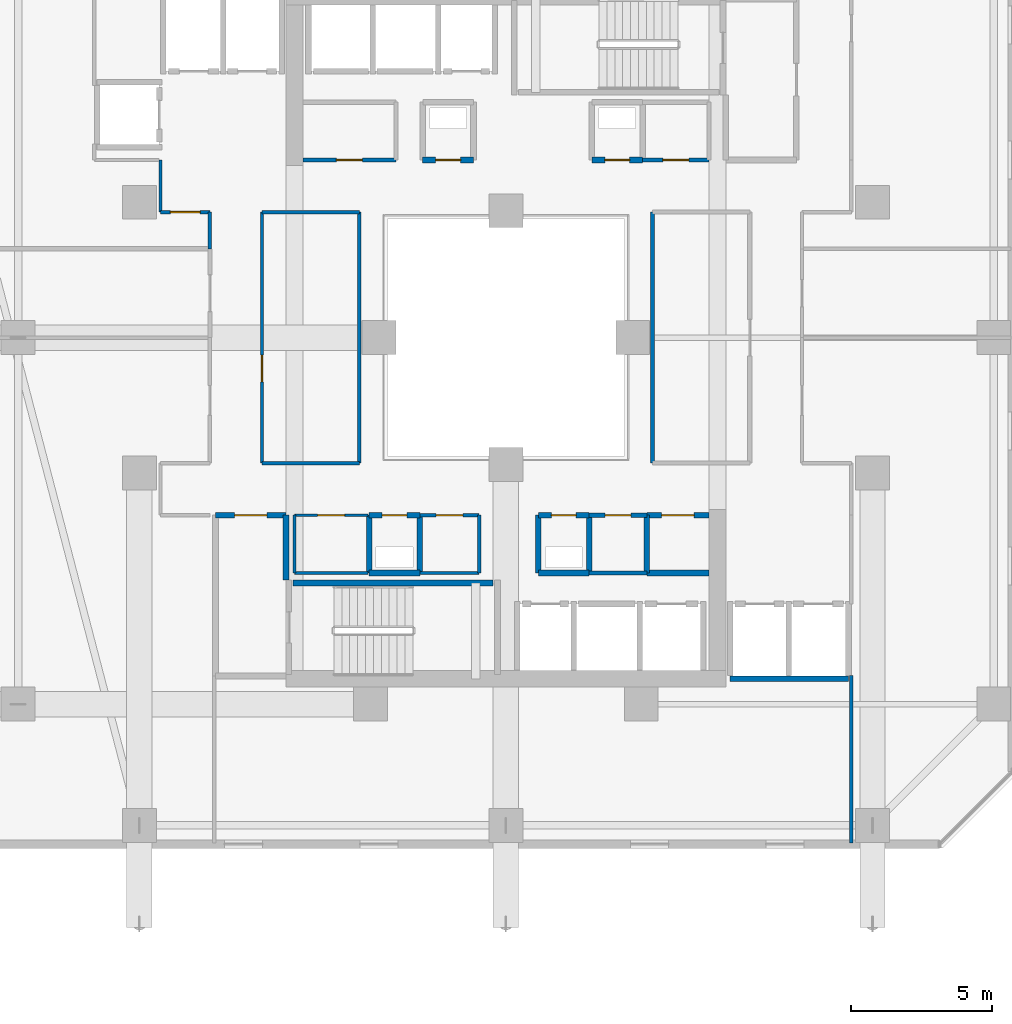
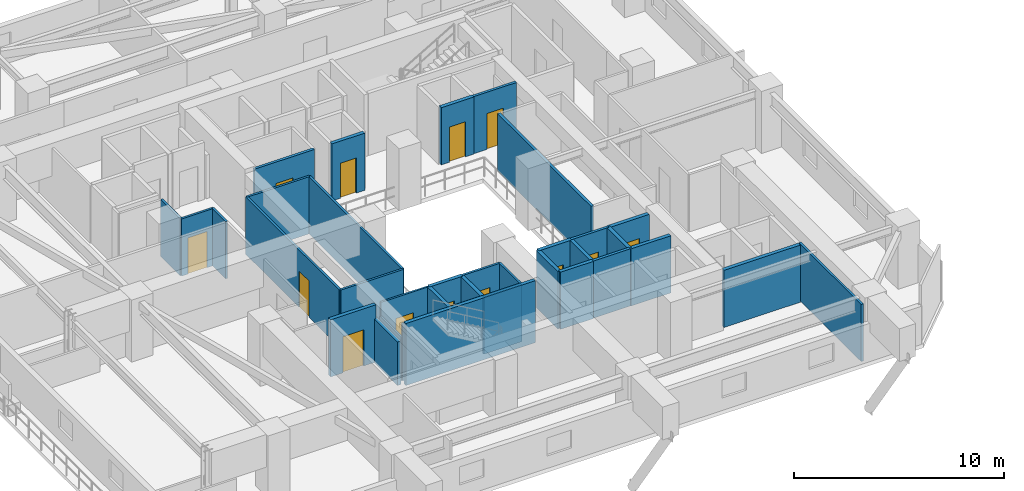
# One storey, part 22 of 36: 36 walls, 13 doors, 13 openings.
"""IFC4 building model written with IfcOpenShell, lengths in metres."""

from ifc_helpers import new_model, si_unit, direction, frame, frame_2d, origin, place, context, subcontext, project, spatial, rectangle, extrude, material, layer, layer_set, type_object, element, fill, save


model = new_model("IFC4")

# Units and contexts
model_context = context("Model", 3, precision=1e-05, world=origin(), true_north=direction((0.0, 1.0)))
body_context = subcontext(model_context, "Body", "Model", "MODEL_VIEW")
ifc_project = project(units=[si_unit("LENGTHUNIT", "METRE"), si_unit("AREAUNIT", "SQUARE_METRE"), si_unit("VOLUMEUNIT", "CUBIC_METRE"), si_unit("PLANEANGLEUNIT", "RADIAN"), si_unit("MASSUNIT", "GRAM", prefix="KILO")], contexts=[model_context])

# Site, building, storey
site_placement = place(None, origin())
site = spatial("IfcSite", under=ifc_project, at=site_placement, CompositionType="ELEMENT")
building_placement = place(site_placement, origin())
building = spatial("IfcBuilding", under=site, at=building_placement, Name="Thornwick Lancets Civic Towers", CompositionType="ELEMENT")
storey_placement = place(building_placement, frame((0.0, 0.0, 116.10009765625)))
storey = spatial("IfcBuildingStorey", under=building, at=storey_placement, Name="L30", CompositionType="ELEMENT", Elevation=116.10009765625)

# Walls
ifc_material_1 = material(Name="Concrete blockwork C40/50", Category="masonry")
ifc_layer_1 = layer(ifc_material_1, 0.199951171875, Name="Concrete blockwork C40/50")
ifc_layer_set_1 = layer_set([ifc_layer_1], Name="Concrete blockwork C40/50")
wall_type_1 = type_object("IfcWallType", Name="WALL_COMP_200", PredefinedType="STANDARD", material=ifc_layer_set_1)
wall_1_placement = place(storey_placement, frame((33.451904296875, 14.89990234375, 0.0), z_axis=(0.0, 0.0, 1.0), x_axis=(1.0, 0.0, 0.0)))
element("IfcWall", 1, at=wall_1_placement, inside=storey, type_object=wall_type_1, Name="L30 Hoistway Shaft Wall PL-AL2 S", PredefinedType="STANDARD", context=body_context, shape_type="SweptSolid", body=[
    extrude(rectangle(XDim=4.196044921875, YDim=0.199951171875, at=frame_2d((2.09814453125, 0.0))), origin(), (0.0, 0.0, 1.0), 3.31982421875),
])
wall_2_placement = place(storey_placement, frame((17.699951171875, 18.39990234375, 0.0), z_axis=(0.0, 0.0, 1.0), x_axis=(0.0, 1.0, 0.0)))
element("IfcWall", 2, at=wall_2_placement, inside=storey, type_object=wall_type_1, Name="L30 Partition L30-A-FFLOB1 E2", PredefinedType="STANDARD", context=body_context, shape_type="SweptSolid", body=[
    extrude(rectangle(XDim=2.300048828125, YDim=0.199951171875, at=frame_2d((1.14990234375, 0.0))), origin(), (0.0, 0.0, 1.0), 2.52490234375),
])

# Wall, opening, door
wall_3_placement = place(storey_placement, frame((17.699951171875, 20.699951171875, 0.0), z_axis=(0.0, 0.0, 1.0), x_axis=(-1.0, 0.0, 0.0)))
wall_3 = element("IfcWall", 3, at=wall_3_placement, inside=storey, type_object=wall_type_1, Name="L30 Partition L30-A-FFLOB1 E3", PredefinedType="STANDARD", context=body_context, shape_type="SweptSolid", body=[
    extrude(rectangle(XDim=2.5, YDim=0.199951171875, at=frame_2d((1.25, 0.0))), origin(), (0.0, 0.0, 1.0), 3.31982421875),
])
opening_1_placement = place(wall_3_placement, frame((0.675048828125, 0.0, 0.0)))
opening_1 = element("IfcOpeningElement", 4, at=opening_1_placement, cuts=wall_3, Name="Opening D-L30-1369", PredefinedType="OPENING", context=body_context, shape_type="SweptSolid", body=[
    extrude(rectangle(XDim=1.14990234375, YDim=2.10009765625, at=frame_2d((0.574951171875, 1.050048828125))), frame((0.0, 0.10986328125, 0.0), z_axis=(0.0, -1.0, 0.0), x_axis=(1.0, 0.0, 0.0)), (0.0, 0.0, 1.0), 0.219970703125),
])
ifc_material_2 = material(Name="Glazed fire-resisting steel", Category="steel")
door_type_1 = type_object("IfcDoorType", Name="DOOR_LOBBY_FD60", OperationType="NOTDEFINED", PredefinedType="DOOR", material=ifc_material_2)
door_1_placement = place(opening_1_placement, origin())
door_1 = element("IfcDoor", 5, at=door_1_placement, inside=storey, type_object=door_type_1, Name="L30 South Firefighting Lobby 1 Door", OperationType="SINGLE_SWING_RIGHT", OverallHeight=2.10009765625, OverallWidth=1.14990234375, PredefinedType="DOOR", context=body_context, shape_type="SweptSolid", body=[
    extrude(rectangle(XDim=1.14990234375, YDim=2.10009765625, at=frame_2d((0.574951171875, 1.050048828125))), frame((0.0, 0.02490234375, 0.0), z_axis=(0.0, -1.0, 0.0), x_axis=(1.0, 0.0, 0.0)), (0.0, 0.0, 1.0), 0.050048828125),
])
fill(opening_1, door_1)

# Walls
wall_4_placement = place(storey_placement, frame((26.64990234375, 18.64990234375, 0.0), z_axis=(0.0, 0.0, 1.0), x_axis=(1.0, 0.0, 0.0)))
element("IfcWall", 6, at=wall_4_placement, inside=storey, type_object=wall_type_1, Name="L30 Partition L30-A-DUCT1 E1", PredefinedType="STANDARD", context=body_context, shape_type="SweptSolid", body=[
    extrude(rectangle(XDim=1.800048828125, YDim=0.199951171875, at=frame_2d((0.89990234375, 0.0))), origin(), (0.0, 0.0, 1.0), 3.31982421875),
])
wall_5_placement = place(storey_placement, frame((28.449951171875, 18.64990234375, 0.0), z_axis=(0.0, 0.0, 1.0), x_axis=(0.0, 1.0, 0.0)))
element("IfcWall", 7, at=wall_5_placement, inside=storey, type_object=wall_type_1, Name="L30 Partition L30-A-DUCT1 E2", PredefinedType="STANDARD", context=body_context, shape_type="SweptSolid", body=[
    extrude(rectangle(XDim=2.050048828125, YDim=0.199951171875, at=frame_2d((1.02490234375, 0.0))), origin(), (0.0, 0.0, 1.0), 3.31982421875),
])

# Wall, opening, door
wall_6_placement = place(storey_placement, frame((28.449951171875, 20.699951171875, 0.0), z_axis=(0.0, 0.0, 1.0), x_axis=(-1.0, 0.0, 0.0)))
wall_6 = element("IfcWall", 8, at=wall_6_placement, inside=storey, type_object=wall_type_1, Name="L30 Partition L30-A-DUCT1 E3", PredefinedType="STANDARD", context=body_context, shape_type="SweptSolid", body=[
    extrude(rectangle(XDim=1.800048828125, YDim=0.199951171875, at=frame_2d((0.89990234375, 0.0))), origin(), (0.0, 0.0, 1.0), 3.31982421875),
])
opening_2_placement = place(wall_6_placement, frame((0.4599609375, 0.0, 0.0)))
opening_2 = element("IfcOpeningElement", 9, at=opening_2_placement, cuts=wall_6, Name="Opening D-L30-1371", PredefinedType="OPENING", context=body_context, shape_type="SweptSolid", body=[
    extrude(rectangle(XDim=0.8798828125, YDim=2.0400390625, at=frame_2d((0.43994140625, 1.02001953125))), frame((0.0, 0.10986328125, 0.0), z_axis=(0.0, -1.0, 0.0), x_axis=(1.0, 0.0, 0.0)), (0.0, 0.0, 1.0), 0.219970703125),
])
ifc_material_3 = material(Name="Steel riser access doorset", Category="steel")
door_type_2 = type_object("IfcDoorType", Name="DOOR_RISER_850", OperationType="NOTDEFINED", PredefinedType="DOOR", material=ifc_material_3)
door_2_placement = place(opening_2_placement, origin())
door_2 = element("IfcDoor", 10, at=door_2_placement, inside=storey, type_object=door_type_2, Name="L30 South Service Duct 1 Door", OperationType="SINGLE_SWING_RIGHT", OverallHeight=2.0400390625, OverallWidth=0.8798828125, PredefinedType="DOOR", context=body_context, shape_type="SweptSolid", body=[
    extrude(rectangle(XDim=0.8798828125, YDim=2.0400390625, at=frame_2d((0.43994140625, 1.02001953125))), frame((0.0, 0.02490234375, 0.0), z_axis=(0.0, -1.0, 0.0), x_axis=(1.0, 0.0, 0.0)), (0.0, 0.0, 1.0), 0.050048828125),
])
fill(opening_2, door_2)

# Walls
wall_7_placement = place(storey_placement, frame((26.64990234375, 20.699951171875, 0.0), z_axis=(0.0, 0.0, 1.0), x_axis=(0.0, -1.0, 0.0)))
element("IfcWall", 11, at=wall_7_placement, inside=storey, type_object=wall_type_1, Name="L30 Partition L30-A-DUCT1 E4", PredefinedType="STANDARD", context=body_context, shape_type="SweptSolid", body=[
    extrude(rectangle(XDim=2.050048828125, YDim=0.199951171875, at=frame_2d((1.02490234375, 0.0))), origin(), (0.0, 0.0, 1.0), 3.31982421875),
])
wall_8_placement = place(storey_placement, frame((20.64990234375, 18.64990234375, 0.0), z_axis=(0.0, 0.0, 1.0), x_axis=(1.0, 0.0, 0.0)))
element("IfcWall", 12, at=wall_8_placement, inside=storey, type_object=wall_type_1, Name="L30 Partition L30-A-RISER1 E1", PredefinedType="STANDARD", context=body_context, shape_type="SweptSolid", body=[
    extrude(rectangle(XDim=1.800048828125, YDim=0.199951171875, at=frame_2d((0.89990234375, 0.0))), origin(), (0.0, 0.0, 1.0), 3.31982421875),
])
wall_9_placement = place(storey_placement, frame((22.449951171875, 18.64990234375, 0.0), z_axis=(0.0, 0.0, 1.0), x_axis=(0.0, 1.0, 0.0)))
element("IfcWall", 13, at=wall_9_placement, inside=storey, type_object=wall_type_1, Name="L30 Partition L30-A-RISER1 E2", PredefinedType="STANDARD", context=body_context, shape_type="SweptSolid", body=[
    extrude(rectangle(XDim=2.050048828125, YDim=0.199951171875, at=frame_2d((1.02490234375, 0.0))), origin(), (0.0, 0.0, 1.0), 3.31982421875),
])

# Wall, opening, door
wall_10_placement = place(storey_placement, frame((22.449951171875, 20.699951171875, 0.0), z_axis=(0.0, 0.0, 1.0), x_axis=(-1.0, 0.0, 0.0)))
wall_10 = element("IfcWall", 14, at=wall_10_placement, inside=storey, type_object=wall_type_1, Name="L30 Partition L30-A-RISER1 E3", PredefinedType="STANDARD", context=body_context, shape_type="SweptSolid", body=[
    extrude(rectangle(XDim=1.800048828125, YDim=0.199951171875, at=frame_2d((0.89990234375, 0.0))), origin(), (0.0, 0.0, 1.0), 3.31982421875),
])
opening_3_placement = place(wall_10_placement, frame((0.4599609375, 0.0, 0.0)))
opening_3 = element("IfcOpeningElement", 15, at=opening_3_placement, cuts=wall_10, Name="Opening D-L30-1372", PredefinedType="OPENING", context=body_context, shape_type="SweptSolid", body=[
    extrude(rectangle(XDim=0.8798828125, YDim=2.0400390625, at=frame_2d((0.43994140625, 1.02001953125))), frame((0.0, 0.10986328125, 0.0), z_axis=(0.0, -1.0, 0.0), x_axis=(1.0, 0.0, 0.0)), (0.0, 0.0, 1.0), 0.219970703125),
])
door_3_placement = place(opening_3_placement, origin())
door_3 = element("IfcDoor", 16, at=door_3_placement, inside=storey, type_object=door_type_2, Name="L30 South Electrical Riser 1 Door", OperationType="SINGLE_SWING_LEFT", OverallHeight=2.0400390625, OverallWidth=0.8798828125, PredefinedType="DOOR", context=body_context, shape_type="SweptSolid", body=[
    extrude(rectangle(XDim=0.8798828125, YDim=2.0400390625, at=frame_2d((0.43994140625, 1.02001953125))), frame((0.0, 0.02490234375, 0.0), z_axis=(0.0, -1.0, 0.0), x_axis=(1.0, 0.0, 0.0)), (0.0, 0.0, 1.0), 0.050048828125),
])
fill(opening_3, door_3)

# Wall
wall_11_placement = place(storey_placement, frame((20.64990234375, 20.699951171875, 0.0), z_axis=(0.0, 0.0, 1.0), x_axis=(0.0, -1.0, 0.0)))
element("IfcWall", 17, at=wall_11_placement, inside=storey, type_object=wall_type_1, Name="L30 Partition L30-A-RISER1 E4", PredefinedType="STANDARD", context=body_context, shape_type="SweptSolid", body=[
    extrude(rectangle(XDim=2.050048828125, YDim=0.199951171875, at=frame_2d((1.02490234375, 0.0))), origin(), (0.0, 0.0, 1.0), 3.31982421875),
])

# Wall, opening, door
wall_12_placement = place(storey_placement, frame((22.550048828125, 33.300048828125, 0.0), z_axis=(0.0, 0.0, 1.0), x_axis=(1.0, 0.0, 0.0)))
wall_12 = element("IfcWall", 18, at=wall_12_placement, inside=storey, type_object=wall_type_1, Name="L30 Partition L30-A-DUCT2 E1", PredefinedType="STANDARD", context=body_context, shape_type="SweptSolid", body=[
    extrude(rectangle(XDim=1.800048828125, YDim=0.199951171875, at=frame_2d((0.89990234375, 0.0))), origin(), (0.0, 0.0, 1.0), 3.31982421875),
])
opening_4_placement = place(wall_12_placement, frame((0.4599609375, 0.0, 0.0)))
opening_4 = element("IfcOpeningElement", 19, at=opening_4_placement, cuts=wall_12, Name="Opening D-L30-1373", PredefinedType="OPENING", context=body_context, shape_type="SweptSolid", body=[
    extrude(rectangle(XDim=0.8798828125, YDim=2.0400390625, at=frame_2d((0.43994140625, 1.02001953125))), frame((0.0, 0.10986328125, 0.0), z_axis=(0.0, -1.0, 0.0), x_axis=(1.0, 0.0, 0.0)), (0.0, 0.0, 1.0), 0.219970703125),
])
door_4_placement = place(opening_4_placement, origin())
door_4 = element("IfcDoor", 20, at=door_4_placement, inside=storey, type_object=door_type_2, Name="L30 North Service Duct 2 Door", OperationType="SINGLE_SWING_RIGHT", OverallHeight=2.0400390625, OverallWidth=0.8798828125, PredefinedType="DOOR", context=body_context, shape_type="SweptSolid", body=[
    extrude(rectangle(XDim=0.8798828125, YDim=2.0400390625, at=frame_2d((0.43994140625, 1.02001953125))), frame((0.0, 0.02490234375, 0.0), z_axis=(0.0, -1.0, 0.0), x_axis=(1.0, 0.0, 0.0)), (0.0, 0.0, 1.0), 0.050048828125),
])
fill(opening_4, door_4)

wall_13_placement = place(storey_placement, frame((28.550048828125, 33.300048828125, 0.0), z_axis=(0.0, 0.0, 1.0), x_axis=(1.0, 0.0, 0.0)))
wall_13 = element("IfcWall", 21, at=wall_13_placement, inside=storey, type_object=wall_type_1, Name="L30 Partition L30-A-RISER2 E1", PredefinedType="STANDARD", context=body_context, shape_type="SweptSolid", body=[
    extrude(rectangle(XDim=1.800048828125, YDim=0.199951171875, at=frame_2d((0.89990234375, 0.0))), origin(), (0.0, 0.0, 1.0), 3.31982421875),
])
opening_5_placement = place(wall_13_placement, frame((0.4599609375, 0.0, 0.0)))
opening_5 = element("IfcOpeningElement", 22, at=opening_5_placement, cuts=wall_13, Name="Opening D-L30-1374", PredefinedType="OPENING", context=body_context, shape_type="SweptSolid", body=[
    extrude(rectangle(XDim=0.8798828125, YDim=2.0400390625, at=frame_2d((0.43994140625, 1.02001953125))), frame((0.0, 0.10986328125, 0.0), z_axis=(0.0, -1.0, 0.0), x_axis=(1.0, 0.0, 0.0)), (0.0, 0.0, 1.0), 0.219970703125),
])
door_5_placement = place(opening_5_placement, origin())
door_5 = element("IfcDoor", 23, at=door_5_placement, inside=storey, type_object=door_type_2, Name="L30 North Service Riser 2 Door", OperationType="SINGLE_SWING_LEFT", OverallHeight=2.0400390625, OverallWidth=0.8798828125, PredefinedType="DOOR", context=body_context, shape_type="SweptSolid", body=[
    extrude(rectangle(XDim=0.8798828125, YDim=2.0400390625, at=frame_2d((0.43994140625, 1.02001953125))), frame((0.0, 0.02490234375, 0.0), z_axis=(0.0, -1.0, 0.0), x_axis=(1.0, 0.0, 0.0)), (0.0, 0.0, 1.0), 0.050048828125),
])
fill(opening_5, door_5)

# Walls
wall_14_placement = place(storey_placement, frame((32.699951171875, 18.64990234375, 0.0), z_axis=(0.0, 0.0, 1.0), x_axis=(-1.0, 0.0, 0.0)))
element("IfcWall", 24, at=wall_14_placement, inside=storey, type_object=wall_type_1, Name="L30 Partition L30-A-STR2 E2", PredefinedType="STANDARD", context=body_context, shape_type="SweptSolid", body=[
    extrude(rectangle(XDim=2.199951171875, YDim=0.199951171875, at=frame_2d((1.10009765625, 0.0))), origin(), (0.0, 0.0, 1.0), 3.31982421875),
])
wall_15_placement = place(storey_placement, frame((30.5, 18.64990234375, 0.0), z_axis=(0.0, 0.0, 1.0), x_axis=(0.0, 1.0, 0.0)))
element("IfcWall", 25, at=wall_15_placement, inside=storey, type_object=wall_type_1, Name="L30 Partition L30-A-STR2 E3", PredefinedType="STANDARD", context=body_context, shape_type="SweptSolid", body=[
    extrude(rectangle(XDim=2.050048828125, YDim=0.199951171875, at=frame_2d((1.02490234375, 0.0))), origin(), (0.0, 0.0, 1.0), 3.31982421875),
])

# Wall, opening, door
wall_16_placement = place(storey_placement, frame((30.5, 20.699951171875, 0.0), z_axis=(0.0, 0.0, 1.0), x_axis=(1.0, 0.0, 0.0)))
wall_16 = element("IfcWall", 26, at=wall_16_placement, inside=storey, type_object=wall_type_1, Name="L30 Partition L30-A-STR2 E4", PredefinedType="STANDARD", context=body_context, shape_type="SweptSolid", body=[
    extrude(rectangle(XDim=2.199951171875, YDim=0.199951171875, at=frame_2d((1.10009765625, 0.0))), origin(), (0.0, 0.0, 1.0), 3.31982421875),
])
opening_6_placement = place(wall_16_placement, frame((0.52490234375, 0.0, 0.0)))
opening_6 = element("IfcOpeningElement", 27, at=opening_6_placement, cuts=wall_16, Name="Opening D-L30-1378", PredefinedType="OPENING", context=body_context, shape_type="SweptSolid", body=[
    extrude(rectangle(XDim=1.14990234375, YDim=2.10009765625, at=frame_2d((0.574951171875, 1.050048828125))), frame((0.0, 0.10986328125, 0.0), z_axis=(0.0, -1.0, 0.0), x_axis=(1.0, 0.0, 0.0)), (0.0, 0.0, 1.0), 0.219970703125),
])
door_6_placement = place(opening_6_placement, origin())
door_6 = element("IfcDoor", 28, at=door_6_placement, inside=storey, type_object=door_type_1, Name="L30 Tower A Core Supplies Store Door", OperationType="SINGLE_SWING_LEFT", OverallHeight=2.10009765625, OverallWidth=1.14990234375, PredefinedType="DOOR", context=body_context, shape_type="SweptSolid", body=[
    extrude(rectangle(XDim=1.14990234375, YDim=2.10009765625, at=frame_2d((0.574951171875, 1.050048828125))), frame((0.0, 0.02490234375, 0.0), z_axis=(0.0, -1.0, 0.0), x_axis=(1.0, 0.0, 0.0)), (0.0, 0.0, 1.0), 0.050048828125),
])
fill(opening_6, door_6)

# Wall
ifc_material_4 = material(Name="Lightweight cellular office partition")
ifc_layer_2 = layer(ifc_material_4, 0.10009765625, Name="Lightweight cellular office partition")
ifc_layer_set_2 = layer_set([ifc_layer_2], Name="Lightweight cellular office partition")
wall_type_2 = type_object("IfcWallType", Name="WALL_PART_100", PredefinedType="PARTITIONING", material=ifc_layer_set_2)
wall_17_placement = place(storey_placement, frame((18.0, 18.64990234375, 0.0), z_axis=(0.0, 0.0, 1.0), x_axis=(1.0, 0.0, 0.0)))
element("IfcWall", 29, at=wall_17_placement, inside=storey, type_object=wall_type_2, Name="L30 Partition L30-A-CLN E1", PredefinedType="PARTITIONING", context=body_context, shape_type="SweptSolid", body=[
    extrude(rectangle(XDim=2.60009765625, YDim=0.10009765625, at=frame_2d((1.300048828125, 0.0))), origin(), (0.0, 0.0, 1.0), 3.31982421875),
])

# Wall, opening, door
wall_18_placement = place(storey_placement, frame((20.60009765625, 20.699951171875, 0.0), z_axis=(0.0, 0.0, 1.0), x_axis=(-1.0, 0.0, 0.0)))
wall_18 = element("IfcWall", 30, at=wall_18_placement, inside=storey, type_object=wall_type_2, Name="L30 Partition L30-A-CLN E3", PredefinedType="PARTITIONING", context=body_context, shape_type="SweptSolid", body=[
    extrude(rectangle(XDim=2.60009765625, YDim=0.10009765625, at=frame_2d((1.300048828125, 0.0))), origin(), (0.0, 0.0, 1.0), 3.31982421875),
])
opening_7_placement = place(wall_18_placement, frame((0.824951171875, 0.0, 0.0)))
opening_7 = element("IfcOpeningElement", 31, at=opening_7_placement, cuts=wall_18, Name="Opening D-L30-1375", PredefinedType="OPENING", context=body_context, shape_type="SweptSolid", body=[
    extrude(rectangle(XDim=0.949951171875, YDim=2.10009765625, at=frame_2d((0.47509765625, 1.050048828125))), frame((0.0, 0.06005859375, 0.0), z_axis=(0.0, -1.0, 0.0), x_axis=(1.0, 0.0, 0.0)), (0.0, 0.0, 1.0), 0.1201171875),
])
ifc_material_5 = material(Name="European oak acoustic doorset")
door_type_3 = type_object("IfcDoorType", Name="DOOR_OFFICE_950", OperationType="NOTDEFINED", PredefinedType="DOOR", material=ifc_material_5)
door_7_placement = place(opening_7_placement, origin())
door_7 = element("IfcDoor", 32, at=door_7_placement, inside=storey, type_object=door_type_3, Name="L30 Tower A Cleaners Store Door", OperationType="SINGLE_SWING_RIGHT", OverallHeight=2.10009765625, OverallWidth=0.949951171875, PredefinedType="DOOR", context=body_context, shape_type="SweptSolid", body=[
    extrude(rectangle(XDim=0.949951171875, YDim=2.10009765625, at=frame_2d((0.47509765625, 1.050048828125))), frame((0.0, 0.02490234375, 0.0), z_axis=(0.0, -1.0, 0.0), x_axis=(1.0, 0.0, 0.0)), (0.0, 0.0, 1.0), 0.050048828125),
])
fill(opening_7, door_7)

# Walls
wall_19_placement = place(storey_placement, frame((18.0, 20.699951171875, 0.0), z_axis=(0.0, 0.0, 1.0), x_axis=(0.0, -1.0, 0.0)))
element("IfcWall", 33, at=wall_19_placement, inside=storey, type_object=wall_type_2, Name="L30 Partition L30-A-CLN E4", PredefinedType="PARTITIONING", context=body_context, shape_type="SweptSolid", body=[
    extrude(rectangle(XDim=2.050048828125, YDim=0.10009765625, at=frame_2d((1.02490234375, 0.0))), origin(), (0.0, 0.0, 1.0), 2.52490234375),
])
ifc_material_6 = material(Name="Acoustic gypsum board partition")
ifc_layer_3 = layer(ifc_material_6, 0.1201171875, Name="Acoustic gypsum board partition")
ifc_layer_set_3 = layer_set([ifc_layer_3], Name="Acoustic gypsum board partition")
wall_type_3 = type_object("IfcWallType", Name="WALL_PART_120", PredefinedType="PARTITIONING", material=ifc_layer_set_3)
wall_20_placement = place(storey_placement, frame((24.550048828125, 20.699951171875, 0.0), z_axis=(0.0, 0.0, 1.0), x_axis=(0.0, -1.0, 0.0)))
element("IfcWall", 34, at=wall_20_placement, inside=storey, type_object=wall_type_3, Name="L30 Partition L30-A-ITR E1", PredefinedType="PARTITIONING", context=body_context, shape_type="SweptSolid", body=[
    extrude(rectangle(XDim=2.050048828125, YDim=0.1201171875, at=frame_2d((1.02490234375, 0.0))), origin(), (0.0, 0.0, 1.0), 3.31982421875),
])
wall_21_placement = place(storey_placement, frame((24.550048828125, 18.64990234375, 0.0), z_axis=(0.0, 0.0, 1.0), x_axis=(-1.0, 0.0, 0.0)))
element("IfcWall", 35, at=wall_21_placement, inside=storey, type_object=wall_type_3, Name="L30 Partition L30-A-ITR E2", PredefinedType="PARTITIONING", context=body_context, shape_type="SweptSolid", body=[
    extrude(rectangle(XDim=2.10009765625, YDim=0.1201171875, at=frame_2d((1.050048828125, 0.0))), origin(), (0.0, 0.0, 1.0), 3.31982421875),
])

# Wall, opening, door
wall_22_placement = place(storey_placement, frame((22.449951171875, 20.699951171875, 0.0), z_axis=(0.0, 0.0, 1.0), x_axis=(1.0, 0.0, 0.0)))
wall_22 = element("IfcWall", 36, at=wall_22_placement, inside=storey, type_object=wall_type_3, Name="L30 Partition L30-A-ITR E4", PredefinedType="PARTITIONING", context=body_context, shape_type="SweptSolid", body=[
    extrude(rectangle(XDim=2.10009765625, YDim=0.1201171875, at=frame_2d((1.050048828125, 0.0))), origin(), (0.0, 0.0, 1.0), 3.31982421875),
])
opening_8_placement = place(wall_22_placement, frame((0.574951171875, 0.0, 0.0)))
opening_8 = element("IfcOpeningElement", 37, at=opening_8_placement, cuts=wall_22, Name="Opening D-L30-1376", PredefinedType="OPENING", context=body_context, shape_type="SweptSolid", body=[
    extrude(rectangle(XDim=0.949951171875, YDim=2.10009765625, at=frame_2d((0.47509765625, 1.050048828125))), frame((0.0, 0.070068359375, 0.0), z_axis=(0.0, -1.0, 0.0), x_axis=(1.0, 0.0, 0.0)), (0.0, 0.0, 1.0), 0.14013671875),
])
door_8_placement = place(opening_8_placement, origin())
door_8 = element("IfcDoor", 38, at=door_8_placement, inside=storey, type_object=door_type_3, Name="L30 Tower A Comms Patch Room Door", OperationType="SINGLE_SWING_LEFT", OverallHeight=2.10009765625, OverallWidth=0.949951171875, PredefinedType="DOOR", context=body_context, shape_type="SweptSolid", body=[
    extrude(rectangle(XDim=0.949951171875, YDim=2.10009765625, at=frame_2d((0.47509765625, 1.050048828125))), frame((0.0, 0.02490234375, 0.0), z_axis=(0.0, -1.0, 0.0), x_axis=(1.0, 0.0, 0.0)), (0.0, 0.0, 1.0), 0.050048828125),
])
fill(opening_8, door_8)

# Wall
wall_23_placement = place(storey_placement, frame((13.25, 33.300048828125, 0.0), z_axis=(0.0, 0.0, 1.0), x_axis=(0.0, -1.0, 0.0)))
element("IfcWall", 39, at=wall_23_placement, inside=storey, type_object=wall_type_3, Name="L30 Partition L30-A-W3 E4", PredefinedType="PARTITIONING", context=body_context, shape_type="SweptSolid", body=[
    extrude(rectangle(XDim=1.85009765625, YDim=0.1201171875, at=frame_2d((0.925048828125, 0.0))), origin(), (0.0, 0.0, 1.0), 3.31982421875),
])

# Wall, opening, door
wall_24_placement = place(storey_placement, frame((13.25, 31.449951171875, 0.0), z_axis=(0.0, 0.0, 1.0), x_axis=(1.0, 0.0, 0.0)))
wall_24 = element("IfcWall", 40, at=wall_24_placement, inside=storey, type_object=wall_type_3, Name="L30 Partition L30-A-W3 E5", PredefinedType="PARTITIONING", context=body_context, shape_type="SweptSolid", body=[
    extrude(rectangle(XDim=1.75, YDim=0.1201171875, at=frame_2d((0.875, 0.0))), origin(), (0.0, 0.0, 1.0), 3.31982421875),
])
opening_9_placement = place(wall_24_placement, frame((0.35009765625, 0.0, 0.0)))
opening_9 = element("IfcOpeningElement", 41, at=opening_9_placement, cuts=wall_24, Name="Opening D-L30-1395", PredefinedType="OPENING", context=body_context, shape_type="SweptSolid", body=[
    extrude(rectangle(XDim=1.050048828125, YDim=2.10009765625, at=frame_2d((0.52490234375, 1.050048828125))), frame((0.0, 0.070068359375, 0.0), z_axis=(0.0, -1.0, 0.0), x_axis=(1.0, 0.0, 0.0)), (0.0, 0.0, 1.0), 0.14013671875),
])
ifc_material_7 = material(Name="Glazed European oak executive doorset")
door_type_4 = type_object("IfcDoorType", Name="DOOR_OFFICE_1050", OperationType="NOTDEFINED", PredefinedType="DOOR", material=ifc_material_7)
door_9_placement = place(opening_9_placement, origin())
door_9 = element("IfcDoor", 42, at=door_9_placement, inside=storey, type_object=door_type_4, Name="L30 Tower A Staff Tea Pantry and Lounge Door", OperationType="SINGLE_SWING_RIGHT", OverallHeight=2.10009765625, OverallWidth=1.050048828125, PredefinedType="DOOR", context=body_context, shape_type="SweptSolid", body=[
    extrude(rectangle(XDim=1.050048828125, YDim=2.10009765625, at=frame_2d((0.52490234375, 1.050048828125))), frame((0.0, 0.02490234375, 0.0), z_axis=(0.0, -1.0, 0.0), x_axis=(1.0, 0.0, 0.0)), (0.0, 0.0, 1.0), 0.050048828125),
])
fill(opening_9, door_9)

# Walls
wall_25_placement = place(storey_placement, frame((15.0, 31.449951171875, 0.0), z_axis=(0.0, 0.0, 1.0), x_axis=(0.0, -1.0, 0.0)))
element("IfcWall", 43, at=wall_25_placement, inside=storey, type_object=wall_type_3, Name="L30 Partition L30-A-W3 E6", PredefinedType="PARTITIONING", context=body_context, shape_type="SweptSolid", body=[
    extrude(rectangle(XDim=1.300048828125, YDim=0.1201171875, at=frame_2d((0.64990234375, 0.0))), origin(), (0.0, 0.0, 1.0), 3.31982421875),
])
wall_26_placement = place(storey_placement, frame((37.75, 9.080078125, 0.0), z_axis=(0.0, 0.0, 1.0), x_axis=(0.0, 1.0, 0.0)))
element("IfcWall", 44, at=wall_26_placement, inside=storey, type_object=wall_type_3, Name="L30 Partition L30-A-E1 E9", PredefinedType="PARTITIONING", context=body_context, shape_type="SweptSolid", body=[
    extrude(rectangle(XDim=5.931884765625, YDim=0.1201171875, at=frame_2d((2.9658203125, 0.0))), origin(), (0.0, 0.0, 1.0), 3.31982421875),
])

# Wall, opening, door
wall_27_placement = place(storey_placement, frame((16.85009765625, 22.550048828125, 0.0), z_axis=(0.0, 0.0, 1.0), x_axis=(0.0, 1.0, 0.0)))
wall_27 = element("IfcWall", 45, at=wall_27_placement, inside=storey, type_object=wall_type_3, Name="L30 Partition L30-A-ATR-W E1", PredefinedType="PARTITIONING", context=body_context, shape_type="SweptSolid", body=[
    extrude(rectangle(XDim=8.89990234375, YDim=0.1201171875, at=frame_2d((4.449951171875, 0.0))), origin(), (0.0, 0.0, 1.0), 3.31982421875),
])
opening_10_placement = place(wall_27_placement, frame((2.875, 0.0, 0.0)))
opening_10 = element("IfcOpeningElement", 46, at=opening_10_placement, cuts=wall_27, Name="Opening D-L30-1400", PredefinedType="OPENING", context=body_context, shape_type="SweptSolid", body=[
    extrude(rectangle(XDim=0.949951171875, YDim=2.10009765625, at=frame_2d((0.47509765625, 1.050048828125))), frame((0.0, 0.070068359375, 0.0), z_axis=(0.0, -1.0, 0.0), x_axis=(1.0, 0.0, 0.0)), (0.0, 0.0, 1.0), 0.14013671875),
])
door_10_placement = place(opening_10_placement, origin())
door_10 = element("IfcDoor", 47, at=door_10_placement, inside=storey, type_object=door_type_3, Name="L30 Tower A West Atrium Study Lounge Door", OperationType="SINGLE_SWING_LEFT", OverallHeight=2.10009765625, OverallWidth=0.949951171875, PredefinedType="DOOR", context=body_context, shape_type="SweptSolid", body=[
    extrude(rectangle(XDim=0.949951171875, YDim=2.10009765625, at=frame_2d((0.47509765625, 1.050048828125))), frame((0.0, 0.02490234375, 0.0), z_axis=(0.0, -1.0, 0.0), x_axis=(1.0, 0.0, 0.0)), (0.0, 0.0, 1.0), 0.050048828125),
])
fill(opening_10, door_10)

# Walls
wall_28_placement = place(storey_placement, frame((16.85009765625, 31.449951171875, 0.0), z_axis=(0.0, 0.0, 1.0), x_axis=(1.0, 0.0, 0.0)))
element("IfcWall", 48, at=wall_28_placement, inside=storey, type_object=wall_type_3, Name="L30 Partition L30-A-ATR-W E2", PredefinedType="PARTITIONING", context=body_context, shape_type="SweptSolid", body=[
    extrude(rectangle(XDim=3.449951171875, YDim=0.1201171875, at=frame_2d((1.72509765625, 0.0))), origin(), (0.0, 0.0, 1.0), 3.31982421875),
])
wall_29_placement = place(storey_placement, frame((20.300048828125, 31.449951171875, 0.0), z_axis=(0.0, 0.0, 1.0), x_axis=(0.0, -1.0, 0.0)))
element("IfcWall", 49, at=wall_29_placement, inside=storey, type_object=wall_type_3, Name="L30 Partition L30-A-ATR-W E3", PredefinedType="PARTITIONING", context=body_context, shape_type="SweptSolid", body=[
    extrude(rectangle(XDim=8.89990234375, YDim=0.1201171875, at=frame_2d((4.449951171875, 0.0))), origin(), (0.0, 0.0, 1.0), 3.31982421875),
])
wall_30_placement = place(storey_placement, frame((20.300048828125, 22.550048828125, 0.0), z_axis=(0.0, 0.0, 1.0), x_axis=(-1.0, 0.0, 0.0)))
element("IfcWall", 50, at=wall_30_placement, inside=storey, type_object=wall_type_3, Name="L30 Partition L30-A-ATR-W E4", PredefinedType="PARTITIONING", context=body_context, shape_type="SweptSolid", body=[
    extrude(rectangle(XDim=3.449951171875, YDim=0.1201171875, at=frame_2d((1.72509765625, 0.0))), origin(), (0.0, 0.0, 1.0), 3.31982421875),
])
ifc_material_8 = material(Name="Twin-stud acoustic gypsum board")
ifc_layer_4 = layer(ifc_material_8, 0.14990234375, Name="Twin-stud acoustic gypsum board")
ifc_layer_set_4 = layer_set([ifc_layer_4], Name="Twin-stud acoustic gypsum board")
wall_type_4 = type_object("IfcWallType", Name="WALL_PART_150", PredefinedType="PARTITIONING", material=ifc_layer_set_4)
wall_31_placement = place(storey_placement, frame((30.5, 18.64990234375, 0.0), z_axis=(0.0, 0.0, 1.0), x_axis=(-1.0, 0.0, 0.0)))
element("IfcWall", 51, at=wall_31_placement, inside=storey, type_object=wall_type_4, Name="L30 Partition L30-A-AWC E2", PredefinedType="PARTITIONING", context=body_context, shape_type="SweptSolid", body=[
    extrude(rectangle(XDim=2.050048828125, YDim=0.14990234375, at=frame_2d((1.02490234375, 0.0))), origin(), (0.0, 0.0, 1.0), 3.31982421875),
])

# Wall, opening, door
wall_32_placement = place(storey_placement, frame((28.449951171875, 20.699951171875, 0.0), z_axis=(0.0, 0.0, 1.0), x_axis=(1.0, 0.0, 0.0)))
wall_32 = element("IfcWall", 52, at=wall_32_placement, inside=storey, type_object=wall_type_4, Name="L30 Partition L30-A-AWC E4", PredefinedType="PARTITIONING", context=body_context, shape_type="SweptSolid", body=[
    extrude(rectangle(XDim=2.050048828125, YDim=0.14990234375, at=frame_2d((1.02490234375, 0.0))), origin(), (0.0, 0.0, 1.0), 3.31982421875),
])
opening_11_placement = place(wall_32_placement, frame((0.56494140625, 0.0, 0.0)))
opening_11 = element("IfcOpeningElement", 53, at=opening_11_placement, cuts=wall_32, Name="Opening D-L30-1377", PredefinedType="OPENING", context=body_context, shape_type="SweptSolid", body=[
    extrude(rectangle(XDim=0.919921875, YDim=2.080078125, at=frame_2d((0.4599609375, 1.0400390625))), frame((0.0, 0.0849609375, 0.0), z_axis=(0.0, -1.0, 0.0), x_axis=(1.0, 0.0, 0.0)), (0.0, 0.0, 1.0), 0.169921875),
])
ifc_material_9 = material(Name="Moisture-resistant oak doorset")
door_type_5 = type_object("IfcDoorType", Name="DOOR_WC_900", OperationType="NOTDEFINED", PredefinedType="DOOR", material=ifc_material_9)
door_11_placement = place(opening_11_placement, origin())
door_11 = element("IfcDoor", 54, at=door_11_placement, inside=storey, type_object=door_type_5, Name="L30 Tower A Accessible WC Door", OperationType="SINGLE_SWING_RIGHT", OverallHeight=2.080078125, OverallWidth=0.919921875, PredefinedType="DOOR", context=body_context, shape_type="SweptSolid", body=[
    extrude(rectangle(XDim=0.919921875, YDim=2.080078125, at=frame_2d((0.4599609375, 1.0400390625))), frame((0.0, 0.02490234375, 0.0), z_axis=(0.0, -1.0, 0.0), x_axis=(1.0, 0.0, 0.0)), (0.0, 0.0, 1.0), 0.050048828125),
])
fill(opening_11, door_11)

wall_33_placement = place(storey_placement, frame((18.300048828125, 33.300048828125, 0.0), z_axis=(0.0, 0.0, 1.0), x_axis=(1.0, 0.0, 0.0)))
wall_33 = element("IfcWall", 55, at=wall_33_placement, inside=storey, type_object=wall_type_4, Name="L30 Partition L30-A-MWC E1", PredefinedType="PARTITIONING", context=body_context, shape_type="SweptSolid", body=[
    extrude(rectangle(XDim=3.300048828125, YDim=0.14990234375, at=frame_2d((1.64990234375, 0.0))), origin(), (0.0, 0.0, 1.0), 3.31982421875),
])
opening_12_placement = place(wall_33_placement, frame((1.18994140625, 0.0, 0.0)))
opening_12 = element("IfcOpeningElement", 56, at=opening_12_placement, cuts=wall_33, Name="Opening D-L30-1379", PredefinedType="OPENING", context=body_context, shape_type="SweptSolid", body=[
    extrude(rectangle(XDim=0.919921875, YDim=2.080078125, at=frame_2d((0.4599609375, 1.0400390625))), frame((0.0, 0.0849609375, 0.0), z_axis=(0.0, -1.0, 0.0), x_axis=(1.0, 0.0, 0.0)), (0.0, 0.0, 1.0), 0.169921875),
])
door_12_placement = place(opening_12_placement, origin())
door_12 = element("IfcDoor", 57, at=door_12_placement, inside=storey, type_object=door_type_5, Name="L30 Tower A Male WC Door", OperationType="SINGLE_SWING_RIGHT", OverallHeight=2.080078125, OverallWidth=0.919921875, PredefinedType="DOOR", context=body_context, shape_type="SweptSolid", body=[
    extrude(rectangle(XDim=0.919921875, YDim=2.080078125, at=frame_2d((0.4599609375, 1.0400390625))), frame((0.0, 0.02490234375, 0.0), z_axis=(0.0, -1.0, 0.0), x_axis=(1.0, 0.0, 0.0)), (0.0, 0.0, 1.0), 0.050048828125),
])
fill(opening_12, door_12)

wall_34_placement = place(storey_placement, frame((32.699951171875, 33.300048828125, 0.0), z_axis=(0.0, 0.0, 1.0), x_axis=(-1.0, 0.0, 0.0)))
wall_34 = element("IfcWall", 58, at=wall_34_placement, inside=storey, type_object=wall_type_4, Name="L30 Partition L30-A-FWC E2", PredefinedType="PARTITIONING", context=body_context, shape_type="SweptSolid", body=[
    extrude(rectangle(XDim=2.349853515625, YDim=0.14990234375, at=frame_2d((1.1748046875, 0.0))), origin(), (0.0, 0.0, 1.0), 3.31982421875),
])
opening_13_placement = place(wall_34_placement, frame((0.715087890625, 0.0, 0.0)))
opening_13 = element("IfcOpeningElement", 59, at=opening_13_placement, cuts=wall_34, Name="Opening D-L30-1380", PredefinedType="OPENING", context=body_context, shape_type="SweptSolid", body=[
    extrude(rectangle(XDim=0.919921875, YDim=2.080078125, at=frame_2d((0.4599609375, 1.0400390625))), frame((0.0, 0.0849609375, 0.0), z_axis=(0.0, -1.0, 0.0), x_axis=(1.0, 0.0, 0.0)), (0.0, 0.0, 1.0), 0.169921875),
])
door_13_placement = place(opening_13_placement, origin())
door_13 = element("IfcDoor", 60, at=door_13_placement, inside=storey, type_object=door_type_5, Name="L30 Tower A Female WC Door", OperationType="SINGLE_SWING_LEFT", OverallHeight=2.080078125, OverallWidth=0.919921875, PredefinedType="DOOR", context=body_context, shape_type="SweptSolid", body=[
    extrude(rectangle(XDim=0.919921875, YDim=2.080078125, at=frame_2d((0.4599609375, 1.0400390625))), frame((0.0, 0.02490234375, 0.0), z_axis=(0.0, -1.0, 0.0), x_axis=(1.0, 0.0, 0.0)), (0.0, 0.0, 1.0), 0.050048828125),
])
fill(opening_13, door_13)

# Walls
wall_35_placement = place(storey_placement, frame((30.699951171875, 22.550048828125, 0.0), z_axis=(0.0, 0.0, 1.0), x_axis=(0.0, 1.0, 0.0)))
element("IfcWall", 61, at=wall_35_placement, inside=storey, type_object=wall_type_4, Name="L30 Partition L30-A-ATR-E E1", PredefinedType="PARTITIONING", context=body_context, shape_type="SweptSolid", body=[
    extrude(rectangle(XDim=8.89990234375, YDim=0.14990234375, at=frame_2d((4.449951171875, 0.0))), origin(), (0.0, 0.0, 1.0), 3.31982421875),
])
ifc_material_10 = material(Name="Concrete C40/50", Category="concrete")
ifc_layer_5 = layer(ifc_material_10, 0.199951171875, Name="Concrete C40/50")
ifc_layer_set_5 = layer_set([ifc_layer_5], Name="Concrete C40/50")
wall_type_5 = type_object("IfcWallType", Name="WALL_SHAFT_200", PredefinedType="SHEAR", material=ifc_layer_set_5)
wall_36_placement = place(storey_placement, frame((25.050048828125, 18.297119140625, 0.0), z_axis=(0.0, 0.0, 1.0), x_axis=(-1.0, 0.0, 0.0)))
element("IfcWall", 62, at=wall_36_placement, inside=storey, type_object=wall_type_5, Name="L30 ST-A1 Fire Stair Core Wall RIGHT", PredefinedType="SHEAR", context=body_context, shape_type="SweptSolid", body=[
    extrude(rectangle(XDim=7.10009765625, YDim=0.199951171875, at=frame_2d((3.550048828125, 0.0))), origin(), (0.0, 0.0, 1.0), 3.599853515625),
])

save(model, "model.ifc")
